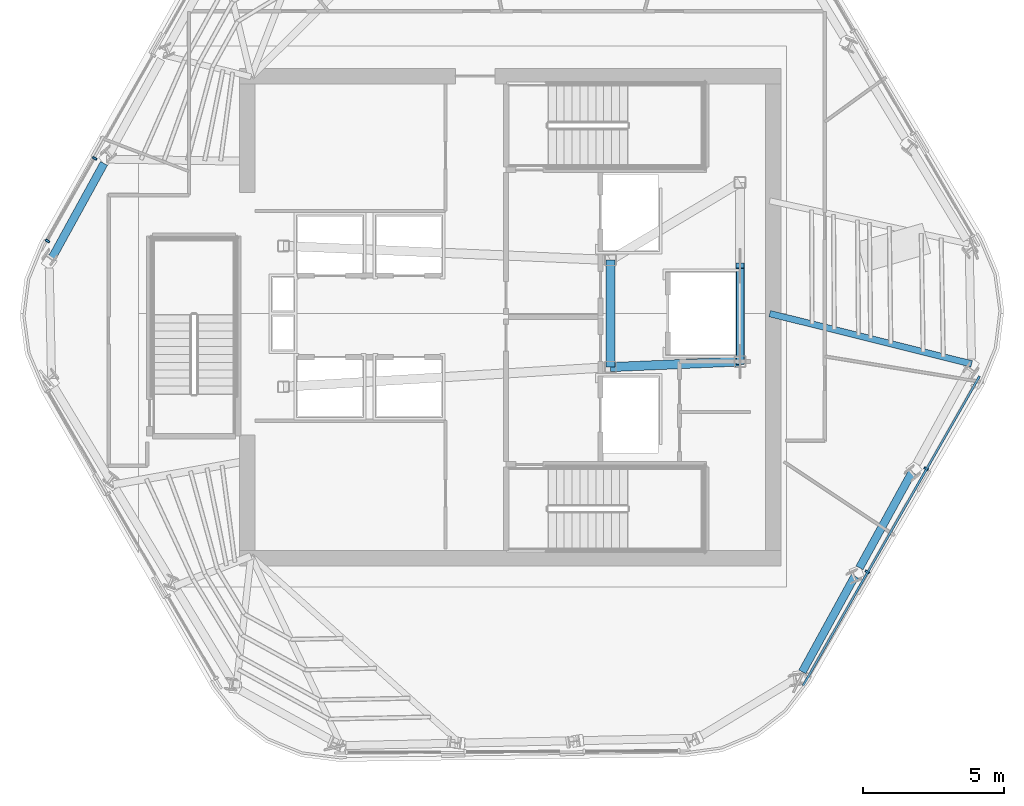
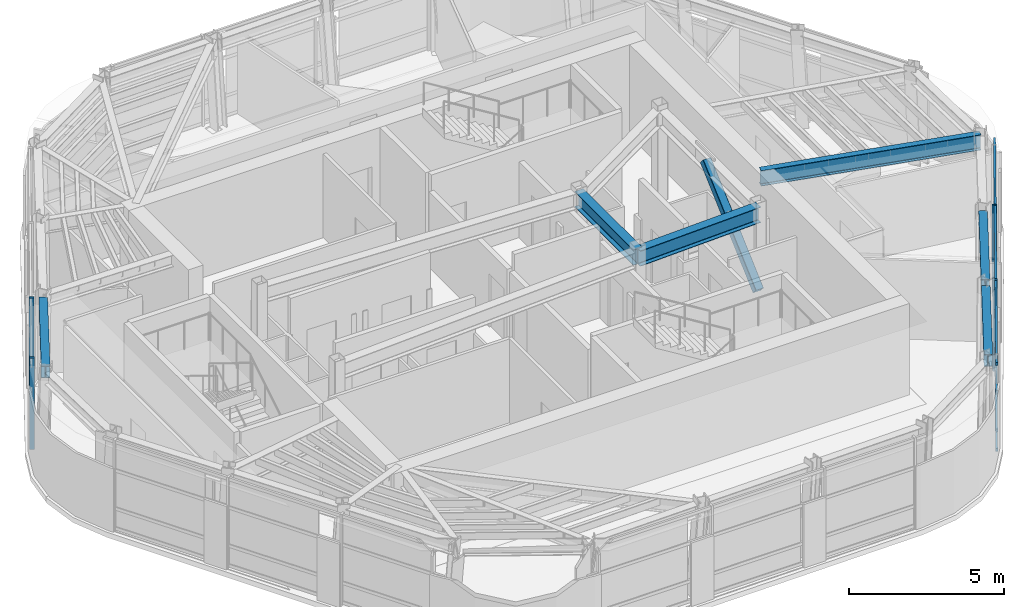
# One storey, part 3 of 13: 9 members, 6 beams, 2 elements without a shape of their own.
"""IFC4 building model written with IfcOpenShell, lengths in metres."""

from ifc_helpers import new_model, si_unit, direction, frame, origin, origin_2d, place, context, subcontext, project, spatial, rectangle, hollow_rectangle, i_section, extrude, material, layer, layer_set, material_profile, profile_set, type_object, element, aggregate, save


model = new_model("IFC4")

# Units and contexts
model_context = context("Model", 3, precision=1e-05, world=origin(), true_north=direction((0.0, 1.0)))
body_context = subcontext(model_context, "Body", "Model", "MODEL_VIEW")
ifc_project = project(units=[si_unit("LENGTHUNIT", "METRE"), si_unit("AREAUNIT", "SQUARE_METRE"), si_unit("VOLUMEUNIT", "CUBIC_METRE"), si_unit("PLANEANGLEUNIT", "RADIAN"), si_unit("MASSUNIT", "GRAM", prefix="KILO")], contexts=[model_context])

# Site, building, storey
site_placement = place(None, origin())
site = spatial("IfcSite", under=ifc_project, at=site_placement, CompositionType="ELEMENT")
building_placement = place(site_placement, origin())
building = spatial("IfcBuilding", under=site, at=building_placement, Name="Valkerne Bourse Tower", CompositionType="ELEMENT")
storey_placement = place(building_placement, frame((0.0, 0.0, 285.0)))
storey = spatial("IfcBuildingStorey", under=building, at=storey_placement, Name="L72", CompositionType="ELEMENT", Elevation=285.0)

# Beams
ifc_material_1 = material(Name="Steel ASTM A992", Category="steel")
ifc_material_profile_1 = material_profile(ifc_material_1, i_section(OverallWidth=0.284423828125, OverallDepth=0.47509765625, WebThickness=0.014892578125, FlangeThickness=0.02392578125, FilletRadius=0.017822265625, at=origin_2d()), Name="W18X106")
ifc_profile_set_1 = profile_set([ifc_material_profile_1], Name="Steel ASTM A992")
beam_type_1 = type_object("IfcBeamType", Name="BM-W18X106", PredefinedType="BEAM", material=ifc_profile_set_1)
beam_1_placement = place(storey_placement, frame((32.384765625, 32.327392578125, 3.362548828125), z_axis=(-0.481804980044, -0.876278472408, 0.0), x_axis=(0.876278472408, -0.481804980044, 0.0)))
element("IfcBeam", 1, at=beam_1_placement, inside=storey, type_object=beam_type_1, Name="L72 Hexagonal Spandrel Ring Beam 06", PredefinedType="BEAM", context=body_context, shape_type="SweptSolid", body=[
    extrude(i_section(OverallWidth=0.284423828125, OverallDepth=0.47509765625, WebThickness=0.014892578125, FlangeThickness=0.02392578125, FilletRadius=0.017822265625, at=origin_2d()), origin(), (0.0, 0.0, 1.0), 3.871826171875),
])
for number, where, z_axis, x_axis, name in (
    (2, (57.156982421875, 14.290283203125, 3.362548828125), (0.481729940687, 0.876319727181, 0.0), (-0.876319727181, 0.481729940687, 0.0), "L72 Hexagonal Spandrel Ring Beam 16"),
    (3, (59.18603515625, 17.9814453125, 3.362548828125), (0.48177835967, 0.876293108585, 0.0), (-0.876293108585, 0.48177835967, 0.0), "L72 Hexagonal Spandrel Ring Beam 17"),
):
    element("IfcBeam", number, at=place(storey_placement, frame(where, z_axis=z_axis, x_axis=x_axis)), inside=storey, type_object=beam_type_1, Name=name, PredefinedType="BEAM", context=body_context, shape_type="SweptSolid", body=[
        extrude(i_section(OverallWidth=0.284423828125, OverallDepth=0.47509765625, WebThickness=0.014892578125, FlangeThickness=0.02392578125, FilletRadius=0.017822265625, at=origin_2d()), origin(), (0.0, 0.0, 1.0), 3.8720703125),
    ])
ifc_material_profile_2 = material_profile(ifc_material_1, i_section(OverallWidth=0.3251953125, OverallDepth=0.612060546875, WebThickness=0.0126953125, FlangeThickness=0.01904296875, FilletRadius=0.020263671875, at=origin_2d()), Name="W24X104")
ifc_profile_set_2 = profile_set([ifc_material_profile_2], Name="Steel ASTM A992")
beam_type_2 = type_object("IfcBeamType", Name="BM-W24X104", PredefinedType="BEAM", material=ifc_profile_set_2)
beam_2_placement = place(storey_placement, frame((50.35009765625, 25.10009765625, 3.2939453125), z_axis=(0.0, 1.0, 0.0), x_axis=(-1.0, 0.0, 0.0)))
element("IfcBeam", 4, at=beam_2_placement, inside=storey, type_object=beam_type_2, Name="L72 Core Frame Girder CG-CE", PredefinedType="BEAM", context=body_context, shape_type="SweptSolid", body=[
    extrude(i_section(OverallWidth=0.3251953125, OverallDepth=0.612060546875, WebThickness=0.0126953125, FlangeThickness=0.01904296875, FilletRadius=0.020263671875, at=origin_2d()), origin(), (0.0, 0.0, 1.0), 3.7998046875),
])
beam_3_placement = place(storey_placement, frame((50.35009765625, 25.10009765625, 3.2939453125), z_axis=(0.999056558506, 0.043428019819, 0.0), x_axis=(-0.043428019819, 0.999056558506, 0.0)))
element("IfcBeam", 5, at=beam_3_placement, inside=storey, type_object=beam_type_2, Name="L72 Core Frame Girder CG-SE", PredefinedType="BEAM", context=body_context, shape_type="SweptSolid", body=[
    extrude(i_section(OverallWidth=0.3251953125, OverallDepth=0.612060546875, WebThickness=0.0126953125, FlangeThickness=0.01904296875, FilletRadius=0.020263671875, at=origin_2d()), origin(), (0.0, 0.0, 1.0), 4.604248046875),
])
ifc_material_profile_3 = material_profile(ifc_material_1, i_section(OverallWidth=0.228271484375, OverallDepth=0.607177734375, WebThickness=0.01123046875, FlangeThickness=0.017333984375, FilletRadius=0.017822265625, at=origin_2d()), Name="W24X76")
ifc_profile_set_3 = profile_set([ifc_material_profile_3], Name="Steel ASTM A992")
beam_type_3 = type_object("IfcBeamType", Name="BM-W24X76", PredefinedType="JOIST", material=ifc_profile_set_3)
beam_4_placement = place(storey_placement, frame((63.16259765625, 25.214599609375, 3.29638671875), z_axis=(-0.970309582173, 0.241866315851, 0.0), x_axis=(-0.241866315851, -0.970309582173, 0.0)))
element("IfcBeam", 6, at=beam_4_placement, inside=storey, type_object=beam_type_3, Name="L72 Radial Composite Floor Beam 19", PredefinedType="JOIST", context=body_context, shape_type="SweptSolid", body=[
    extrude(i_section(OverallWidth=0.228271484375, OverallDepth=0.607177734375, WebThickness=0.01123046875, FlangeThickness=0.017333984375, FilletRadius=0.017822265625, at=origin_2d()), origin(), (0.0, 0.0, 1.0), 7.3818359375),
])

# Curtain wall, members
ifc_material_2 = material(Name="Aluminium AA 6063-T6", Category="aluminium")
ifc_layer = layer(ifc_material_2, 0.2451171875)
ifc_layer_set = layer_set([ifc_layer], Name="Aluminium AA 6063-T6")
curtain_wall_type = type_object("IfcCurtainWallType", Name="CW-05", PredefinedType="NOTDEFINED", material=ifc_layer_set)
curtain_wall_1_placement = place(storey_placement, origin())
curtain_wall_1 = element("IfcCurtainWall", 7, at=curtain_wall_1_placement, inside=storey, type_object=curtain_wall_type, Name="L72 Hexagonal Stick Curtain Wall Face 2", PredefinedType="NOTDEFINED")
ifc_material_profile_4 = material_profile(ifc_material_2, rectangle(XDim=0.074951171875, YDim=0.159912109375, at=origin_2d()), Name="CWM-75X160")
ifc_profile_set_4 = profile_set([ifc_material_profile_4], Name="Aluminium AA 6063-T6")
member_type_1 = type_object("IfcMemberType", Name="CW-MUL-160X75", PredefinedType="MULLION", material=ifc_profile_set_4)
member_1_placement = place(storey_placement, frame((32.051025390625, 32.504638671875, 0.0), z_axis=(0.0, 0.0, 1.0), x_axis=(-0.495461241573, -0.86863004674, 0.0)))
member_1 = element("IfcMember", 8, at=member_1_placement, type_object=member_type_1, Name="CW-L72-F2 Jamb Mullion 02A", PredefinedType="MULLION", context=body_context, shape_type="SweptSolid", body=[
    extrude(rectangle(XDim=0.074951171875, YDim=0.159912109375, at=origin_2d()), origin(), (0.0, 0.0, 1.0), 3.60009765625),
])
member_2_placement = place(storey_placement, frame((30.38037109375, 29.57568359375, 0.0), z_axis=(0.0, 0.0, 1.0), x_axis=(-0.495461241573, -0.86863004674, 0.0)))
member_2 = element("IfcMember", 9, at=member_2_placement, type_object=member_type_1, Name="CW-L72-F2 Jamb Mullion 02B", PredefinedType="MULLION", context=body_context, shape_type="SweptSolid", body=[
    extrude(rectangle(XDim=0.074951171875, YDim=0.159912109375, at=origin_2d()), origin(), (0.0, 0.0, 1.0), 3.60009765625),
])
aggregate(curtain_wall_1, [member_1, member_2])

curtain_wall_2_placement = place(storey_placement, origin())
curtain_wall_2 = element("IfcCurtainWall", 10, at=curtain_wall_2_placement, inside=storey, type_object=curtain_wall_type, Name="L72 Hexagonal Stick Curtain Wall Face 5", PredefinedType="NOTDEFINED")
member_3_placement = place(storey_placement, frame((59.462158203125, 17.836669921875, 0.0), z_axis=(0.0, 0.0, 1.0), x_axis=(0.495443327875, 0.868640264358, 0.0)))
member_3 = element("IfcMember", 11, at=member_3_placement, type_object=member_type_1, Name="CW-L72-F5 Jamb Mullion 01A", PredefinedType="MULLION", context=body_context, shape_type="SweptSolid", body=[
    extrude(rectangle(XDim=0.074951171875, YDim=0.159912109375, at=origin_2d()), origin(), (0.0, 0.0, 1.0), 3.60009765625),
])
member_4_placement = place(storey_placement, frame((61.548828125, 21.495361328125, 0.0), z_axis=(0.0, 0.0, 1.0), x_axis=(0.495461241573, 0.86863004674, 0.0)))
member_4 = element("IfcMember", 12, at=member_4_placement, type_object=member_type_1, Name="CW-L72-F5 Jamb Mullion 02A", PredefinedType="MULLION", context=body_context, shape_type="SweptSolid", body=[
    extrude(rectangle(XDim=0.074951171875, YDim=0.159912109375, at=origin_2d()), origin(), (0.0, 0.0, 1.0), 3.60009765625),
])
ifc_material_profile_5 = material_profile(ifc_material_2, rectangle(XDim=0.074951171875, YDim=0.1201171875, at=origin_2d()), Name="CWT-75X120")
ifc_profile_set_5 = profile_set([ifc_material_profile_5], Name="Aluminium AA 6063-T6")
member_type_2 = type_object("IfcMemberType", Name="CW-TRN-120X75", PredefinedType="USERDEFINED", material=ifc_profile_set_5)
member_5_placement = place(storey_placement, frame((57.1845703125, 13.80322265625, 0.1201171875), z_axis=(0.495450060623, 0.868636424189, 0.0), x_axis=(-0.868636424189, 0.495450060623, 0.0)))
member_5 = element("IfcMember", 13, at=member_5_placement, type_object=member_type_2, Name="CW-L72-F5 Continuous Face Transom 1", ObjectType="TRANSOM", PredefinedType="USERDEFINED", context=body_context, shape_type="SweptSolid", body=[
    extrude(rectangle(XDim=0.074951171875, YDim=0.1201171875, at=origin_2d()), origin(), (0.0, 0.0, 1.0), 12.635986328125),
])
member_6_placement = place(storey_placement, frame((57.1845703125, 13.80322265625, 0.89990234375), z_axis=(0.495450060623, 0.868636424189, 0.0), x_axis=(-0.868636424189, 0.495450060623, 0.0)))
member_6 = element("IfcMember", 14, at=member_6_placement, type_object=member_type_2, Name="CW-L72-F5 Continuous Face Transom 2", ObjectType="TRANSOM", PredefinedType="USERDEFINED", context=body_context, shape_type="SweptSolid", body=[
    extrude(rectangle(XDim=0.074951171875, YDim=0.1201171875, at=origin_2d()), origin(), (0.0, 0.0, 1.0), 12.635986328125),
])
member_7_placement = place(storey_placement, frame((57.1845703125, 13.80322265625, 2.39990234375), z_axis=(0.495450060623, 0.868636424189, 0.0), x_axis=(-0.868636424189, 0.495450060623, 0.0)))
member_7 = element("IfcMember", 15, at=member_7_placement, type_object=member_type_2, Name="CW-L72-F5 Continuous Face Transom 3", ObjectType="TRANSOM", PredefinedType="USERDEFINED", context=body_context, shape_type="SweptSolid", body=[
    extrude(rectangle(XDim=0.074951171875, YDim=0.1201171875, at=origin_2d()), origin(), (0.0, 0.0, 1.0), 12.635986328125),
])
member_8_placement = place(storey_placement, frame((57.1845703125, 13.80322265625, 3.52001953125), z_axis=(0.495450060623, 0.868636424189, 0.0), x_axis=(-0.868636424189, 0.495450060623, 0.0)))
member_8 = element("IfcMember", 16, at=member_8_placement, type_object=member_type_2, Name="CW-L72-F5 Continuous Face Transom 4", ObjectType="TRANSOM", PredefinedType="USERDEFINED", context=body_context, shape_type="SweptSolid", body=[
    extrude(rectangle(XDim=0.074951171875, YDim=0.1201171875, at=origin_2d()), origin(), (0.0, 0.0, 1.0), 12.635986328125),
])
aggregate(curtain_wall_2, [member_5, member_6, member_7, member_8, member_3, member_4])

# Member
ifc_material_3 = material(Name="Steel ASTM A500 Grade C", Category="steel")
ifc_material_profile_6 = material_profile(ifc_material_3, hollow_rectangle(XDim=0.300048828125, YDim=0.300048828125, WallThickness=0.012451171875, OuterFilletRadius=0.02490234375, at=origin_2d()), Name="HSS300X300X12.5")
ifc_profile_set_6 = profile_set([ifc_material_profile_6], Name="Steel ASTM A500 Grade C")
member_type_3 = type_object("IfcMemberType", Name="MBR-HSS300X300X12.5", PredefinedType="STRUT", material=ifc_profile_set_6)
member_9_placement = place(storey_placement, frame((54.949951171875, 25.300048828125, 0.219970703125), z_axis=(0.0, 0.741766660352, 0.670658051163), x_axis=(-1.0, 0.0, 0.0)))
element("IfcMember", 17, at=member_9_placement, inside=storey, type_object=member_type_3, Name="L72 Core Service Pier Lateral Brace", PredefinedType="STRUT", context=body_context, shape_type="SweptSolid", body=[
    extrude(hollow_rectangle(XDim=0.300048828125, YDim=0.300048828125, WallThickness=0.012451171875, OuterFilletRadius=0.02490234375, at=origin_2d()), origin(), (0.0, 0.0, 1.0), 4.58349609375),
])

save(model, "model.ifc")
